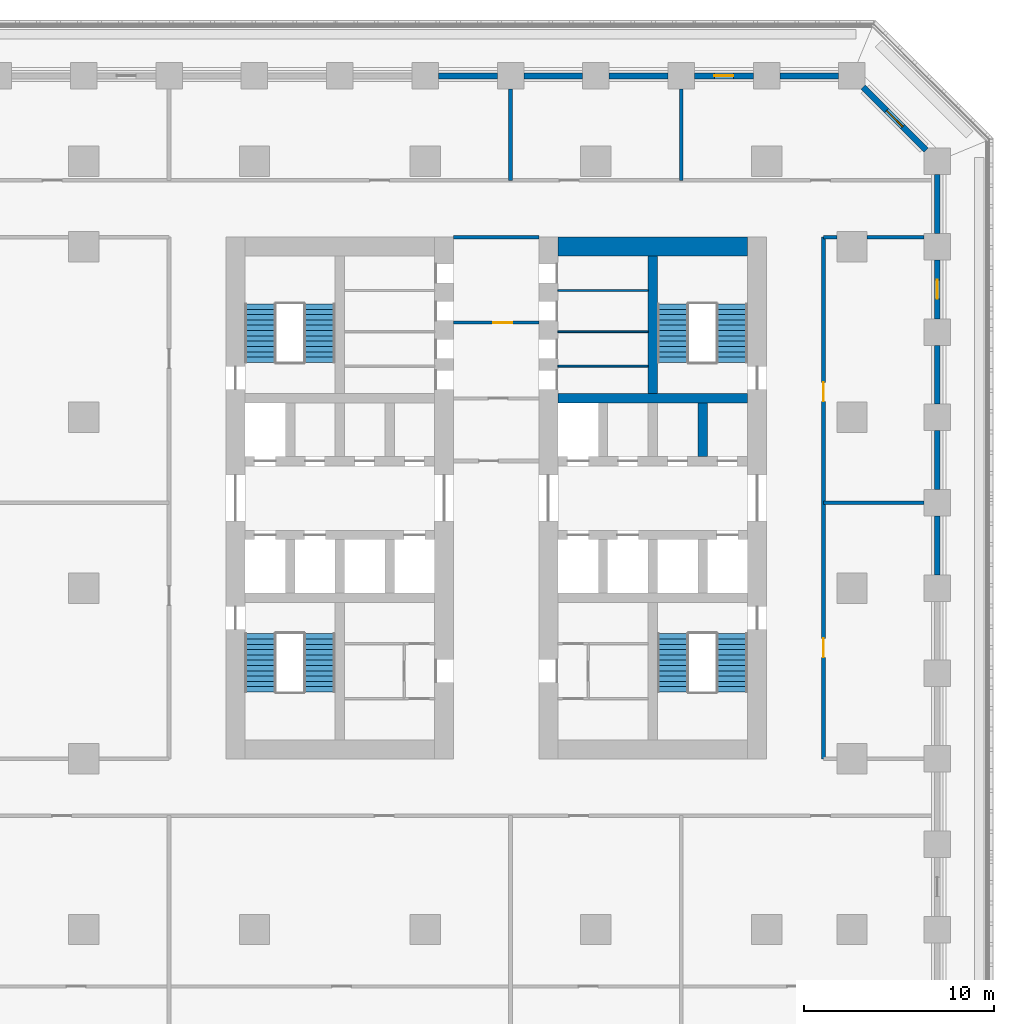
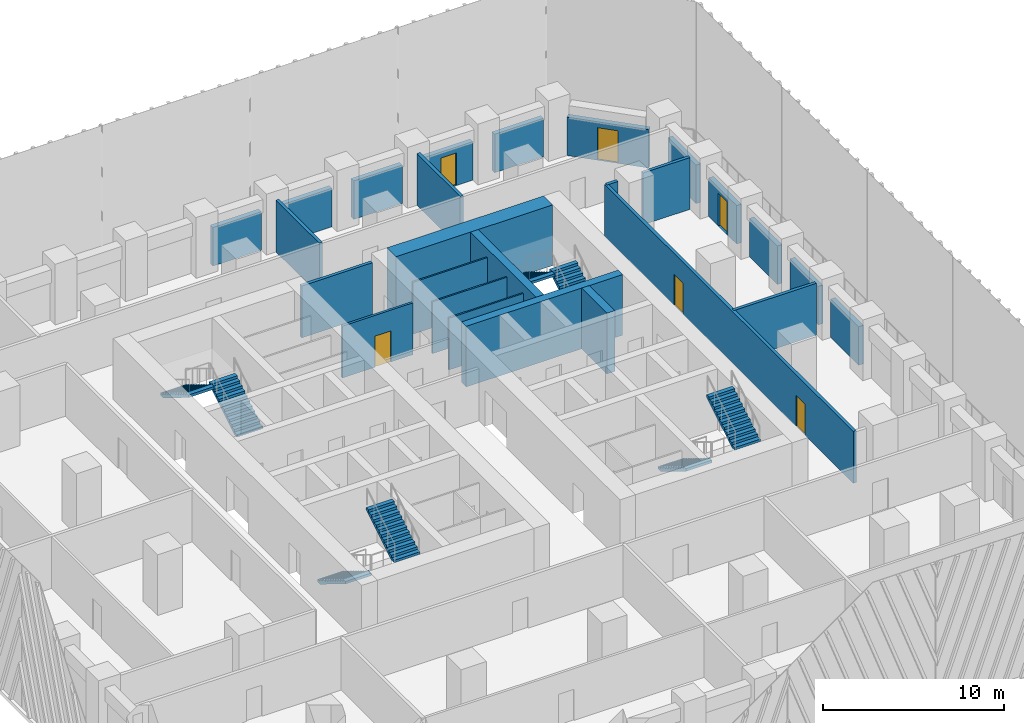
# One storey, part 6 of 12: 26 walls, 8 stair flights, 6 doors, 6 openings, 4 elements without a shape of their own.
"""IFC4 building model written with IfcOpenShell, lengths in metres."""

from ifc_helpers import new_model, si_unit, direction, frame, frame_2d, origin, place, context, subcontext, project, spatial, polyline, rectangle, outline, extrude, material, layer, layer_set, type_object, element, fill, aggregate, save


model = new_model("IFC4")

# Units and contexts
model_context = context("Model", 3, precision=1e-05, world=origin(), true_north=direction((0.0, 1.0)))
body_context = subcontext(model_context, "Body", "Model", "MODEL_VIEW")
ifc_project = project(units=[si_unit("LENGTHUNIT", "METRE"), si_unit("AREAUNIT", "SQUARE_METRE"), si_unit("VOLUMEUNIT", "CUBIC_METRE"), si_unit("PLANEANGLEUNIT", "RADIAN"), si_unit("MASSUNIT", "GRAM", prefix="KILO")], contexts=[model_context])

# Site, building, storey
site_placement = place(None, origin())
site = spatial("IfcSite", under=ifc_project, at=site_placement, CompositionType="ELEMENT")
building_placement = place(site_placement, origin())
building = spatial("IfcBuilding", under=site, at=building_placement, Name="Corbel Stack Research Tower", CompositionType="ELEMENT")
storey_placement = place(building_placement, frame((0.0, 0.0, 31.800048828125)))
storey = spatial("IfcBuildingStorey", under=building, at=storey_placement, Name="L07", CompositionType="ELEMENT", Elevation=31.800048828125)

# Walls
ifc_material_1 = material(Name="Concrete C70/85", Category="concrete")
ifc_layer_1 = layer(ifc_material_1, 1.0)
ifc_layer_set_1 = layer_set([ifc_layer_1], Name="Concrete C70/85")
wall_type_1 = type_object("IfcWallType", Name="CW-1000-70", PredefinedType="SHEAR", material=ifc_layer_set_1)
wall_1_placement = place(storey_placement, frame((7.0, 18.0, 0.0), z_axis=(0.0, 0.0, 1.0), x_axis=(1.0, 0.0, 0.0)))
element("IfcWall", 1, at=wall_1_placement, inside=storey, type_object=wall_type_1, Name="East core wall, north end L07", PredefinedType="SHEAR", context=body_context, shape_type="SweptSolid", body=[
    extrude(rectangle(XDim=10.0, YDim=1.0, at=frame_2d((5.0, 0.0))), origin(), (0.0, 0.0, 1.0), 4.099853515625),
])
ifc_material_2 = material(Name="Concrete C70/85", Category="concrete")
ifc_layer_2 = layer(ifc_material_2, 0.5)
ifc_layer_set_2 = layer_set([ifc_layer_2], Name="Concrete C70/85")
wall_type_2 = type_object("IfcWallType", Name="CW-500-70", PredefinedType="SHEAR", material=ifc_layer_set_2)
wall_2_placement = place(storey_placement, frame((7.0, 10.0, 0.0), z_axis=(0.0, 0.0, 1.0), x_axis=(1.0, 0.0, 0.0)))
element("IfcWall", 2, at=wall_2_placement, inside=storey, type_object=wall_type_2, Name="East core wall, north row back L07", PredefinedType="SHEAR", context=body_context, shape_type="SweptSolid", body=[
    extrude(rectangle(XDim=10.0, YDim=0.5, at=frame_2d((5.0, 0.0))), origin(), (0.0, 0.0, 1.0), 4.099853515625),
])
wall_3_placement = place(storey_placement, frame((14.625, 6.949951171875, 0.0), z_axis=(0.0, 0.0, 1.0), x_axis=(0.0, 1.0, 0.0)))
element("IfcWall", 3, at=wall_3_placement, inside=storey, type_object=wall_type_2, Name="East core wall, north shaft 3 L07", PredefinedType="SHEAR", context=body_context, shape_type="SweptSolid", body=[
    extrude(rectangle(XDim=2.800048828125, YDim=0.5, at=frame_2d((1.39990234375, 0.0))), origin(), (0.0, 0.0, 1.0), 4.099853515625),
])
wall_4_placement = place(storey_placement, frame((12.0, 10.25, 0.0), z_axis=(0.0, 0.0, 1.0), x_axis=(0.0, 1.0, 0.0)))
element("IfcWall", 4, at=wall_4_placement, inside=storey, type_object=wall_type_2, Name="East core wall, north stair and riser L07", PredefinedType="SHEAR", context=body_context, shape_type="SweptSolid", body=[
    extrude(rectangle(XDim=7.25, YDim=0.5, at=frame_2d((3.625, 0.0))), origin(), (0.0, 0.0, 1.0), 4.099853515625),
])
ifc_material_3 = material(Name="Gypsum board")
ifc_layer_3 = layer(ifc_material_3, 0.10009765625)
ifc_layer_set_3 = layer_set([ifc_layer_3], Name="Gypsum board")
wall_type_3 = type_object("IfcWallType", Name="Core partition 100", PredefinedType="PARTITIONING", material=ifc_layer_set_3)
for number, where, z_axis, x_axis, name in (
    (5, (7.0, 11.699951171875, 0.0), (0.0, 0.0, 1.0), (1.0, 0.0, 0.0), "Core partition E"),
    (6, (7.0, 13.512451171875, 0.0), (0.0, 0.0, 1.0), (1.0, 0.0, 0.0), "Core partition E"),
    (7, (7.0, 15.6875, 0.0), (0.0, 0.0, 1.0), (1.0, 0.0, 0.0), "Core partition E"),
):
    element("IfcWall", number, at=place(storey_placement, frame(where, z_axis=z_axis, x_axis=x_axis)), inside=storey, type_object=wall_type_3, Name=name, PredefinedType="PARTITIONING", context=body_context, shape_type="SweptSolid", body=[
        extrude(rectangle(XDim=4.75, YDim=0.10009765625, at=frame_2d((2.375, 0.0))), origin(), (0.0, 0.0, 1.0), 3.5),
    ])
ifc_material_4 = material(Name="Fire-rated gypsum board partition on steel studs", Category="steel")
ifc_layer_4 = layer(ifc_material_4, 0.199951171875)
ifc_layer_set_4 = layer_set([ifc_layer_4], Name="Fire-rated gypsum board partition on steel studs")
wall_type_4 = type_object("IfcWallType", Name="Fire-rated partition 200 EI 60", PredefinedType="PARTITIONING", material=ifc_layer_set_4)
for number, where, z_axis, x_axis, name in (
    (8, (4.5, 21.5, 0.0), (0.0, 0.0, 1.0), (0.0, 1.0, 0.0), "Partition L07-006"),
    (9, (13.5, 21.5, 0.0), (0.0, 0.0, 1.0), (0.0, 1.0, 0.0), "Partition L07-008"),
):
    element("IfcWall", number, at=place(storey_placement, frame(where, z_axis=z_axis, x_axis=x_axis)), inside=storey, type_object=wall_type_4, Name=name, PredefinedType="PARTITIONING", context=body_context, shape_type="SweptSolid", body=[
        extrude(rectangle(XDim=4.800048828125, YDim=0.199951171875, at=frame_2d((2.39990234375, 0.0))), origin(), (0.0, 0.0, 1.0), 3.5),
    ])

# Wall, openings, doors
wall_5_placement = place(storey_placement, frame((21.0, 18.5, 0.0), z_axis=(0.0, 0.0, 1.0), x_axis=(0.0, -1.0, 0.0)))
wall_5 = element("IfcWall", 10, at=wall_5_placement, inside=storey, type_object=wall_type_4, Name="Partition L07-009", PredefinedType="PARTITIONING", context=body_context, shape_type="SweptSolid", body=[
    extrude(rectangle(XDim=27.5, YDim=0.199951171875, at=frame_2d((13.75, 0.0))), origin(), (0.0, 0.0, 1.0), 3.5),
])
opening_1_placement = place(wall_5_placement, frame((21.14990234375, 0.0, 0.0)))
opening_1 = element("IfcOpeningElement", 11, at=opening_1_placement, cuts=wall_5, Name="Opening B1V2-016", PredefinedType="OPENING", context=body_context, shape_type="SweptSolid", body=[
    extrude(rectangle(XDim=1.0, YDim=2.10009765625, at=frame_2d((0.5, 1.050048828125))), frame((0.0, 0.10986328125, 0.0), z_axis=(0.0, -1.0, 0.0), x_axis=(1.0, 0.0, 0.0)), (0.0, 0.0, 1.0), 0.219970703125),
])
opening_2_placement = place(wall_5_placement, frame((7.64990234375, 0.0, 0.0)))
opening_2 = element("IfcOpeningElement", 12, at=opening_2_placement, cuts=wall_5, Name="Opening B1V2-017", PredefinedType="OPENING", context=body_context, shape_type="SweptSolid", body=[
    extrude(rectangle(XDim=1.0, YDim=2.10009765625, at=frame_2d((0.5, 1.050048828125))), frame((0.0, 0.10986328125, 0.0), z_axis=(0.0, -1.0, 0.0), x_axis=(1.0, 0.0, 0.0)), (0.0, 0.0, 1.0), 0.219970703125),
])
ifc_material_5 = material(Name="Painted steel fire door", Category="steel")
door_type_1 = type_object("IfcDoorType", Name="Fire door FD30S 1000 x 2100", OperationType="NOTDEFINED", PredefinedType="DOOR", material=ifc_material_5)
door_1_placement = place(opening_1_placement, origin())
door_1 = element("IfcDoor", 13, at=door_1_placement, inside=storey, type_object=door_type_1, Name="Door B1V2-016", OperationType="SINGLE_SWING_RIGHT", OverallHeight=2.10009765625, OverallWidth=1.0, PredefinedType="DOOR", context=body_context, shape_type="SweptSolid", body=[
    extrude(rectangle(XDim=1.0, YDim=2.10009765625, at=frame_2d((0.5, 1.050048828125))), frame((0.0, 0.02490234375, 0.0), z_axis=(0.0, -1.0, 0.0), x_axis=(1.0, 0.0, 0.0)), (0.0, 0.0, 1.0), 0.050048828125),
])
fill(opening_1, door_1)
door_2_placement = place(opening_2_placement, origin())
door_2 = element("IfcDoor", 14, at=door_2_placement, inside=storey, type_object=door_type_1, Name="Door B1V2-017", OperationType="SINGLE_SWING_LEFT", OverallHeight=2.10009765625, OverallWidth=1.0, PredefinedType="DOOR", context=body_context, shape_type="SweptSolid", body=[
    extrude(rectangle(XDim=1.0, YDim=2.10009765625, at=frame_2d((0.5, 1.050048828125))), frame((0.0, 0.02490234375, 0.0), z_axis=(0.0, -1.0, 0.0), x_axis=(1.0, 0.0, 0.0)), (0.0, 0.0, 1.0), 0.050048828125),
])
fill(opening_2, door_2)

# Walls
wall_6_placement = place(storey_placement, frame((21.0, 4.5, 0.0), z_axis=(0.0, 0.0, 1.0), x_axis=(1.0, 0.0, 0.0)))
element("IfcWall", 15, at=wall_6_placement, inside=storey, type_object=wall_type_4, Name="Partition L07-017", PredefinedType="PARTITIONING", context=body_context, shape_type="SweptSolid", body=[
    extrude(rectangle(XDim=5.300048828125, YDim=0.199951171875, at=frame_2d((2.64990234375, 0.0))), origin(), (0.0, 0.0, 1.0), 3.5),
])
wall_7_placement = place(storey_placement, frame((1.5, 18.5, 0.0), z_axis=(0.0, 0.0, 1.0), x_axis=(1.0, 0.0, 0.0)))
element("IfcWall", 16, at=wall_7_placement, inside=storey, type_object=wall_type_4, Name="Partition L07-023", PredefinedType="PARTITIONING", context=body_context, shape_type="SweptSolid", body=[
    extrude(rectangle(XDim=4.5, YDim=0.199951171875, at=frame_2d((2.25, 0.0))), origin(), (0.0, 0.0, 1.0), 3.5),
])
wall_8_placement = place(storey_placement, frame((21.0, 18.5, 0.0), z_axis=(0.0, 0.0, 1.0), x_axis=(1.0, 0.0, 0.0)))
element("IfcWall", 17, at=wall_8_placement, inside=storey, type_object=wall_type_4, Name="Partition L07-024", PredefinedType="PARTITIONING", context=body_context, shape_type="SweptSolid", body=[
    extrude(rectangle(XDim=0.699951171875, YDim=0.199951171875, at=frame_2d((0.35009765625, 0.0))), origin(), (0.0, 0.0, 1.0), 3.5),
])
wall_9_placement = place(storey_placement, frame((23.300048828125, 18.5, 0.0), z_axis=(0.0, 0.0, 1.0), x_axis=(1.0, 0.0, 0.0)))
element("IfcWall", 18, at=wall_9_placement, inside=storey, type_object=wall_type_4, Name="Partition L07-025", PredefinedType="PARTITIONING", context=body_context, shape_type="SweptSolid", body=[
    extrude(rectangle(XDim=3.0, YDim=0.199951171875, at=frame_2d((1.5, 0.0))), origin(), (0.0, 0.0, 1.0), 3.5),
])

# Wall, opening, door
ifc_material_6 = material(Name="Gypsum board partition on steel studs", Category="steel")
ifc_layer_5 = layer(ifc_material_6, 0.14990234375)
ifc_layer_set_5 = layer_set([ifc_layer_5], Name="Gypsum board partition on steel studs")
wall_type_5 = type_object("IfcWallType", Name="Partition 150", PredefinedType="PARTITIONING", material=ifc_layer_set_5)
wall_10_placement = place(storey_placement, frame((1.5, 14.0, 0.0), z_axis=(0.0, 0.0, 1.0), x_axis=(1.0, 0.0, 0.0)))
wall_10 = element("IfcWall", 19, at=wall_10_placement, inside=storey, type_object=wall_type_5, Name="Partition L07-020", PredefinedType="PARTITIONING", context=body_context, shape_type="SweptSolid", body=[
    extrude(rectangle(XDim=4.5, YDim=0.14990234375, at=frame_2d((2.25, 0.0))), origin(), (0.0, 0.0, 1.0), 3.5),
])
opening_3_placement = place(wall_10_placement, frame((2.10009765625, 0.0, 0.0)))
opening_3 = element("IfcOpeningElement", 20, at=opening_3_placement, cuts=wall_10, Name="Opening B1V2-015", PredefinedType="OPENING", context=body_context, shape_type="SweptSolid", body=[
    extrude(rectangle(XDim=1.0, YDim=2.10009765625, at=frame_2d((0.5, 1.050048828125))), frame((0.0, 0.0849609375, 0.0), z_axis=(0.0, -1.0, 0.0), x_axis=(1.0, 0.0, 0.0)), (0.0, 0.0, 1.0), 0.169921875),
])
ifc_material_7 = material(Name="Painted timber door", Category="wood")
door_type_2 = type_object("IfcDoorType", Name="Single door 1000 x 2100", OperationType="NOTDEFINED", PredefinedType="DOOR", material=ifc_material_7)
door_3_placement = place(opening_3_placement, origin())
door_3 = element("IfcDoor", 21, at=door_3_placement, inside=storey, type_object=door_type_2, Name="Door B1V2-015", OperationType="SINGLE_SWING_RIGHT", OverallHeight=2.10009765625, OverallWidth=1.0, PredefinedType="DOOR", context=body_context, shape_type="SweptSolid", body=[
    extrude(rectangle(XDim=1.0, YDim=2.10009765625, at=frame_2d((0.5, 1.050048828125))), frame((0.0, 0.02490234375, 0.0), z_axis=(0.0, -1.0, 0.0), x_axis=(1.0, 0.0, 0.0)), (0.0, 0.0, 1.0), 0.050048828125),
])
fill(opening_3, door_3)

# Walls
ifc_material_8 = material(Name="Concrete C45/55", Category="concrete")
ifc_layer_6 = layer(ifc_material_8, 0.300048828125)
ifc_layer_set_6 = layer_set([ifc_layer_6], Name="Concrete C45/55")
wall_type_6 = type_object("IfcWallType", Name="Terracotta-faced concrete wall 300", PredefinedType="SOLIDWALL", material=ifc_layer_set_6)
for number, where, z_axis, x_axis, name in (
    (22, (27.0, 3.800048828125, 0.0), (0.0, 0.0, 1.0), (0.0, -1.0, 0.0), "Facade wall L07 E06"),
    (23, (27.0, 8.300048828125, 0.0), (0.0, 0.0, 1.0), (0.0, -1.0, 0.0), "Facade wall L07 E07"),
    (24, (27.0, 12.800048828125, 0.0), (0.0, 0.0, 1.0), (0.0, -1.0, 0.0), "Facade wall L07 E08"),
):
    element("IfcWall", number, at=place(storey_placement, frame(where, z_axis=z_axis, x_axis=x_axis)), inside=storey, type_object=wall_type_6, Name=name, PredefinedType="SOLIDWALL", context=body_context, shape_type="SweptSolid", body=[
        extrude(rectangle(XDim=3.10009765625, YDim=0.300048828125, at=frame_2d((1.550048828125, 0.0))), origin(), (0.0, 0.0, 1.0), 2.599853515625),
    ])

# Wall, opening, door
wall_11_placement = place(storey_placement, frame((27.0, 17.300048828125, 0.0), z_axis=(0.0, 0.0, 1.0), x_axis=(0.0, -1.0, 0.0)))
wall_11 = element("IfcWall", 25, at=wall_11_placement, inside=storey, type_object=wall_type_6, Name="Facade wall L07 E09", PredefinedType="SOLIDWALL", context=body_context, shape_type="SweptSolid", body=[
    extrude(rectangle(XDim=3.10009765625, YDim=0.300048828125, at=frame_2d((1.550048828125, 0.0))), origin(), (0.0, 0.0, 1.0), 2.599853515625),
])
opening_4_placement = place(wall_11_placement, frame((1.050048828125, 0.0, 0.0)))
opening_4 = element("IfcOpeningElement", 26, at=opening_4_placement, cuts=wall_11, Name="Opening L07-B05", PredefinedType="OPENING", context=body_context, shape_type="SweptSolid", body=[
    extrude(rectangle(XDim=1.0, YDim=2.199951171875, at=frame_2d((0.5, 1.10009765625))), frame((0.0, 0.159912109375, 0.0), z_axis=(0.0, -1.0, 0.0), x_axis=(1.0, 0.0, 0.0)), (0.0, 0.0, 1.0), 0.320068359375),
])
ifc_material_9 = material(Name="Aluminium frame, clear double glazing", Category="aluminium")
door_type_3 = type_object("IfcDoorType", Name="Balcony door BD1 1000 x 2200", OperationType="NOTDEFINED", PredefinedType="DOOR", material=ifc_material_9)
door_4_placement = place(opening_4_placement, origin())
door_4 = element("IfcDoor", 27, at=door_4_placement, inside=storey, type_object=door_type_3, Name="Balcony door L07-B05", OperationType="SINGLE_SWING_RIGHT", OverallHeight=2.199951171875, OverallWidth=1.0, PredefinedType="DOOR", context=body_context, shape_type="SweptSolid", body=[
    extrude(rectangle(XDim=1.0, YDim=2.199951171875, at=frame_2d((0.5, 1.10009765625))), frame((0.0, 0.02490234375, 0.0), z_axis=(0.0, -1.0, 0.0), x_axis=(1.0, 0.0, 0.0)), (0.0, 0.0, 1.0), 0.050048828125),
])
fill(opening_4, door_4)

# Wall
wall_12_placement = place(storey_placement, frame((27.0, 21.800048828125, 0.0), z_axis=(0.0, 0.0, 1.0), x_axis=(0.0, -1.0, 0.0)))
element("IfcWall", 28, at=wall_12_placement, inside=storey, type_object=wall_type_6, Name="Facade wall L07 E10", PredefinedType="SOLIDWALL", context=body_context, shape_type="SweptSolid", body=[
    extrude(rectangle(XDim=3.10009765625, YDim=0.300048828125, at=frame_2d((1.550048828125, 0.0))), origin(), (0.0, 0.0, 1.0), 2.599853515625),
])

# Wall, opening, door
wall_13_placement = place(storey_placement, frame((23.093994140625, 26.406005859375, 0.0), z_axis=(0.0, 0.0, 1.0), x_axis=(0.707106781187, -0.707106781187, 0.0)))
wall_13 = element("IfcWall", 29, at=wall_13_placement, inside=storey, type_object=wall_type_6, Name="Facade wall L07 NE01", PredefinedType="SOLIDWALL", context=body_context, shape_type="SweptSolid", body=[
    extrude(rectangle(XDim=4.683837890625, YDim=0.300048828125, at=frame_2d((2.341796875, 0.0))), origin(), (0.0, 0.0, 1.0), 2.599853515625),
])
opening_5_placement = place(wall_13_placement, frame((1.741943359375, 0.0, 0.0)))
opening_5 = element("IfcOpeningElement", 30, at=opening_5_placement, cuts=wall_13, Name="Opening L07-B06", PredefinedType="OPENING", context=body_context, shape_type="SweptSolid", body=[
    extrude(rectangle(XDim=1.199951171875, YDim=2.199951171875, at=frame_2d((0.60009765625, 1.10009765625))), frame((0.0, 0.159912109375, 0.0), z_axis=(0.0, -1.0, 0.0), x_axis=(1.0, 0.0, 0.0)), (0.0, 0.0, 1.0), 0.320068359375),
])
ifc_material_10 = material(Name="Aluminium frame, clear double glazing", Category="aluminium")
door_type_4 = type_object("IfcDoorType", Name="Balcony door BD2 1200 x 2200", OperationType="NOTDEFINED", PredefinedType="DOOR", material=ifc_material_10)
door_5_placement = place(opening_5_placement, origin())
door_5 = element("IfcDoor", 31, at=door_5_placement, inside=storey, type_object=door_type_4, Name="Balcony door L07-B06", OperationType="SINGLE_SWING_RIGHT", OverallHeight=2.199951171875, OverallWidth=1.199951171875, PredefinedType="DOOR", context=body_context, shape_type="SweptSolid", body=[
    extrude(rectangle(XDim=1.199951171875, YDim=2.199951171875, at=frame_2d((0.60009765625, 1.10009765625))), frame((0.0, 0.02490234375, 0.0), z_axis=(0.0, -1.0, 0.0), x_axis=(1.0, 0.0, 0.0)), (0.0, 0.0, 1.0), 0.050048828125),
])
fill(opening_5, door_5)

# Wall
wall_14_placement = place(storey_placement, frame((18.699951171875, 27.0, 0.0), z_axis=(0.0, 0.0, 1.0), x_axis=(1.0, 0.0, 0.0)))
element("IfcWall", 32, at=wall_14_placement, inside=storey, type_object=wall_type_6, Name="Facade wall L07 N01", PredefinedType="SOLIDWALL", context=body_context, shape_type="SweptSolid", body=[
    extrude(rectangle(XDim=3.10009765625, YDim=0.300048828125, at=frame_2d((1.550048828125, 0.0))), origin(), (0.0, 0.0, 1.0), 2.599853515625),
])

# Wall, opening, door
wall_15_placement = place(storey_placement, frame((14.199951171875, 27.0, 0.0), z_axis=(0.0, 0.0, 1.0), x_axis=(1.0, 0.0, 0.0)))
wall_15 = element("IfcWall", 33, at=wall_15_placement, inside=storey, type_object=wall_type_6, Name="Facade wall L07 N02", PredefinedType="SOLIDWALL", context=body_context, shape_type="SweptSolid", body=[
    extrude(rectangle(XDim=3.10009765625, YDim=0.300048828125, at=frame_2d((1.550048828125, 0.0))), origin(), (0.0, 0.0, 1.0), 2.599853515625),
])
opening_6_placement = place(wall_15_placement, frame((1.050048828125, 0.0, 0.0)))
opening_6 = element("IfcOpeningElement", 34, at=opening_6_placement, cuts=wall_15, Name="Opening L07-B07", PredefinedType="OPENING", context=body_context, shape_type="SweptSolid", body=[
    extrude(rectangle(XDim=1.0, YDim=2.199951171875, at=frame_2d((0.5, 1.10009765625))), frame((0.0, 0.159912109375, 0.0), z_axis=(0.0, -1.0, 0.0), x_axis=(1.0, 0.0, 0.0)), (0.0, 0.0, 1.0), 0.320068359375),
])
door_6_placement = place(opening_6_placement, origin())
door_6 = element("IfcDoor", 35, at=door_6_placement, inside=storey, type_object=door_type_3, Name="Balcony door L07-B07", OperationType="SINGLE_SWING_LEFT", OverallHeight=2.199951171875, OverallWidth=1.0, PredefinedType="DOOR", context=body_context, shape_type="SweptSolid", body=[
    extrude(rectangle(XDim=1.0, YDim=2.199951171875, at=frame_2d((0.5, 1.10009765625))), frame((0.0, 0.02490234375, 0.0), z_axis=(0.0, -1.0, 0.0), x_axis=(1.0, 0.0, 0.0)), (0.0, 0.0, 1.0), 0.050048828125),
])
fill(opening_6, door_6)

# Walls
for number, where, z_axis, x_axis, name in (
    (36, (9.699951171875, 27.0, 0.0), (0.0, 0.0, 1.0), (1.0, 0.0, 0.0), "Facade wall L07 N03"),
    (37, (5.199951171875, 27.0, 0.0), (0.0, 0.0, 1.0), (1.0, 0.0, 0.0), "Facade wall L07 N04"),
    (38, (0.699951171875, 27.0, 0.0), (0.0, 0.0, 1.0), (1.0, 0.0, 0.0), "Facade wall L07 N05"),
):
    element("IfcWall", number, at=place(storey_placement, frame(where, z_axis=z_axis, x_axis=x_axis)), inside=storey, type_object=wall_type_6, Name=name, PredefinedType="SOLIDWALL", context=body_context, shape_type="SweptSolid", body=[
        extrude(rectangle(XDim=3.10009765625, YDim=0.300048828125, at=frame_2d((1.550048828125, 0.0))), origin(), (0.0, 0.0, 1.0), 2.599853515625),
    ])

# Stair, stair flights
ifc_material_11 = material(Name="Concrete C40/50", Category="concrete")
stair_type = type_object("IfcStairType", Name="Exit stair 24 risers", PredefinedType="HALF_TURN_STAIR", material=ifc_material_11)
stair_1_placement = place(storey_placement, origin())
stair_1 = element("IfcStair", 39, at=stair_1_placement, inside=storey, type_object=stair_type, Name="L07 Exit stair ST-W1", PredefinedType="HALF_TURN_STAIR")
ifc_material_12 = material(Name="Concrete C40/50", Category="concrete")
stair_flight_type = type_object("IfcStairFlightType", Name="Stair flight 12 risers", PredefinedType="STRAIGHT", material=ifc_material_12)
stair_flight_1_placement = place(storey_placement, frame((-8.675048828125, -2.39990234375, 0.0), z_axis=(0.0, 0.0, 1.0), x_axis=(0.0, -1.0, 0.0)))
stair_flight_1 = element("IfcStairFlight", 40, at=stair_flight_1_placement, type_object=stair_flight_type, Name="ST-W1 flight 1", NumberOfRisers=12, NumberOfTreads=11, PredefinedType="STRAIGHT", RiserHeight=0.170833333, TreadLength=0.28, context=body_context, shape_type="SweptSolid", body=[
    extrude(outline(polyline([(0.0, 0.0), (0.0, 0.1708984375), (0.280029296875, 0.1708984375), (0.280029296875, 0.341552734375), (0.56005859375, 0.341552734375), (0.56005859375, 0.512451171875), (0.840087890625, 0.512451171875), (0.840087890625, 0.683349609375), (1.1201171875, 0.683349609375), (1.1201171875, 0.854248046875), (1.39990234375, 0.854248046875), (1.39990234375, 1.02490234375), (1.679931640625, 1.02490234375), (1.679931640625, 1.19580078125), (1.9599609375, 1.19580078125), (1.9599609375, 1.36669921875), (2.239990234375, 1.36669921875), (2.239990234375, 1.53759765625), (2.52001953125, 1.53759765625), (2.52001953125, 1.708251953125), (2.800048828125, 1.708251953125), (2.800048828125, 1.879150390625), (3.080078125, 1.879150390625), (3.080078125, 2.050048828125), (3.080078125, 1.70361328125), (0.287841796875, 0.0), (0.0, 0.0)])), frame((0.0, 0.824951171875, 0.0), z_axis=(0.0, -1.0, 0.0), x_axis=(1.0, 0.0, 0.0)), (0.0, 0.0, 1.0), 1.64990234375),
])
stair_flight_2_placement = place(storey_placement, frame((-5.574951171875, -5.47998046875, 2.050048828125), z_axis=(0.0, 0.0, 1.0), x_axis=(0.0, 1.0, 0.0)))
stair_flight_2 = element("IfcStairFlight", 41, at=stair_flight_2_placement, type_object=stair_flight_type, Name="ST-W1 flight 2", NumberOfRisers=12, NumberOfTreads=11, PredefinedType="STRAIGHT", RiserHeight=0.170833333, TreadLength=0.28, context=body_context, shape_type="SweptSolid", body=[
    extrude(outline(polyline([(0.0, 0.0), (0.0, 0.1708984375), (0.280029296875, 0.1708984375), (0.280029296875, 0.341552734375), (0.56005859375, 0.341552734375), (0.56005859375, 0.512451171875), (0.840087890625, 0.512451171875), (0.840087890625, 0.683349609375), (1.1201171875, 0.683349609375), (1.1201171875, 0.854248046875), (1.39990234375, 0.854248046875), (1.39990234375, 1.02490234375), (1.679931640625, 1.02490234375), (1.679931640625, 1.19580078125), (1.9599609375, 1.19580078125), (1.9599609375, 1.36669921875), (2.239990234375, 1.36669921875), (2.239990234375, 1.53759765625), (2.52001953125, 1.53759765625), (2.52001953125, 1.708251953125), (2.800048828125, 1.708251953125), (2.800048828125, 1.879150390625), (3.080078125, 1.879150390625), (3.080078125, 2.050048828125), (3.080078125, 1.70361328125), (0.287841796875, 0.0), (0.0, 0.0)])), frame((0.0, 0.824951171875, 0.0), z_axis=(0.0, -1.0, 0.0), x_axis=(1.0, 0.0, 0.0)), (0.0, 0.0, 1.0), 1.64990234375),
])
aggregate(stair_1, [stair_flight_1, stair_flight_2])

stair_2_placement = place(storey_placement, origin())
stair_2 = element("IfcStair", 42, at=stair_2_placement, inside=storey, type_object=stair_type, Name="L07 Exit stair ST-W2", PredefinedType="HALF_TURN_STAIR")
stair_flight_3_placement = place(storey_placement, frame((-5.574951171875, 11.89990234375, 0.0), z_axis=(0.0, 0.0, 1.0), x_axis=(0.0, 1.0, 0.0)))
stair_flight_3 = element("IfcStairFlight", 43, at=stair_flight_3_placement, type_object=stair_flight_type, Name="ST-W2 flight 1", NumberOfRisers=12, NumberOfTreads=11, PredefinedType="STRAIGHT", RiserHeight=0.170833333, TreadLength=0.28, context=body_context, shape_type="SweptSolid", body=[
    extrude(outline(polyline([(0.0, 0.0), (0.0, 0.1708984375), (0.280029296875, 0.1708984375), (0.280029296875, 0.341552734375), (0.56005859375, 0.341552734375), (0.56005859375, 0.512451171875), (0.840087890625, 0.512451171875), (0.840087890625, 0.683349609375), (1.1201171875, 0.683349609375), (1.1201171875, 0.854248046875), (1.39990234375, 0.854248046875), (1.39990234375, 1.02490234375), (1.679931640625, 1.02490234375), (1.679931640625, 1.19580078125), (1.9599609375, 1.19580078125), (1.9599609375, 1.36669921875), (2.239990234375, 1.36669921875), (2.239990234375, 1.53759765625), (2.52001953125, 1.53759765625), (2.52001953125, 1.708251953125), (2.800048828125, 1.708251953125), (2.800048828125, 1.879150390625), (3.080078125, 1.879150390625), (3.080078125, 2.050048828125), (3.080078125, 1.70361328125), (0.287841796875, 0.0), (0.0, 0.0)])), frame((0.0, 0.824951171875, 0.0), z_axis=(0.0, -1.0, 0.0), x_axis=(1.0, 0.0, 0.0)), (0.0, 0.0, 1.0), 1.64990234375),
])
stair_flight_4_placement = place(storey_placement, frame((-8.675048828125, 14.97998046875, 2.050048828125), z_axis=(0.0, 0.0, 1.0), x_axis=(0.0, -1.0, 0.0)))
stair_flight_4 = element("IfcStairFlight", 44, at=stair_flight_4_placement, type_object=stair_flight_type, Name="ST-W2 flight 2", NumberOfRisers=12, NumberOfTreads=11, PredefinedType="STRAIGHT", RiserHeight=0.170833333, TreadLength=0.28, context=body_context, shape_type="SweptSolid", body=[
    extrude(outline(polyline([(0.0, 0.0), (0.0, 0.1708984375), (0.280029296875, 0.1708984375), (0.280029296875, 0.341552734375), (0.56005859375, 0.341552734375), (0.56005859375, 0.512451171875), (0.840087890625, 0.512451171875), (0.840087890625, 0.683349609375), (1.1201171875, 0.683349609375), (1.1201171875, 0.854248046875), (1.39990234375, 0.854248046875), (1.39990234375, 1.02490234375), (1.679931640625, 1.02490234375), (1.679931640625, 1.19580078125), (1.9599609375, 1.19580078125), (1.9599609375, 1.36669921875), (2.239990234375, 1.36669921875), (2.239990234375, 1.53759765625), (2.52001953125, 1.53759765625), (2.52001953125, 1.708251953125), (2.800048828125, 1.708251953125), (2.800048828125, 1.879150390625), (3.080078125, 1.879150390625), (3.080078125, 2.050048828125), (3.080078125, 1.70361328125), (0.287841796875, 0.0), (0.0, 0.0)])), frame((0.0, 0.824951171875, 0.0), z_axis=(0.0, -1.0, 0.0), x_axis=(1.0, 0.0, 0.0)), (0.0, 0.0, 1.0), 1.64990234375),
])
aggregate(stair_2, [stair_flight_3, stair_flight_4])

stair_3_placement = place(storey_placement, origin())
stair_3 = element("IfcStair", 45, at=stair_3_placement, inside=storey, type_object=stair_type, Name="L07 Exit stair ST-E1", PredefinedType="HALF_TURN_STAIR")
stair_flight_5_placement = place(storey_placement, frame((13.074951171875, -2.39990234375, 0.0), z_axis=(0.0, 0.0, 1.0), x_axis=(0.0, -1.0, 0.0)))
stair_flight_5 = element("IfcStairFlight", 46, at=stair_flight_5_placement, type_object=stair_flight_type, Name="ST-E1 flight 1", NumberOfRisers=12, NumberOfTreads=11, PredefinedType="STRAIGHT", RiserHeight=0.170833333, TreadLength=0.28, context=body_context, shape_type="SweptSolid", body=[
    extrude(outline(polyline([(0.0, 0.0), (0.0, 0.1708984375), (0.280029296875, 0.1708984375), (0.280029296875, 0.341552734375), (0.56005859375, 0.341552734375), (0.56005859375, 0.512451171875), (0.840087890625, 0.512451171875), (0.840087890625, 0.683349609375), (1.1201171875, 0.683349609375), (1.1201171875, 0.854248046875), (1.39990234375, 0.854248046875), (1.39990234375, 1.02490234375), (1.679931640625, 1.02490234375), (1.679931640625, 1.19580078125), (1.9599609375, 1.19580078125), (1.9599609375, 1.36669921875), (2.239990234375, 1.36669921875), (2.239990234375, 1.53759765625), (2.52001953125, 1.53759765625), (2.52001953125, 1.708251953125), (2.800048828125, 1.708251953125), (2.800048828125, 1.879150390625), (3.080078125, 1.879150390625), (3.080078125, 2.050048828125), (3.080078125, 1.70361328125), (0.287841796875, 0.0), (0.0, 0.0)])), frame((0.0, 0.824951171875, 0.0), z_axis=(0.0, -1.0, 0.0), x_axis=(1.0, 0.0, 0.0)), (0.0, 0.0, 1.0), 1.64990234375),
])
stair_flight_6_placement = place(storey_placement, frame((16.175048828125, -5.47998046875, 2.050048828125), z_axis=(0.0, 0.0, 1.0), x_axis=(0.0, 1.0, 0.0)))
stair_flight_6 = element("IfcStairFlight", 47, at=stair_flight_6_placement, type_object=stair_flight_type, Name="ST-E1 flight 2", NumberOfRisers=12, NumberOfTreads=11, PredefinedType="STRAIGHT", RiserHeight=0.170833333, TreadLength=0.28, context=body_context, shape_type="SweptSolid", body=[
    extrude(outline(polyline([(0.0, 0.0), (0.0, 0.1708984375), (0.280029296875, 0.1708984375), (0.280029296875, 0.341552734375), (0.56005859375, 0.341552734375), (0.56005859375, 0.512451171875), (0.840087890625, 0.512451171875), (0.840087890625, 0.683349609375), (1.1201171875, 0.683349609375), (1.1201171875, 0.854248046875), (1.39990234375, 0.854248046875), (1.39990234375, 1.02490234375), (1.679931640625, 1.02490234375), (1.679931640625, 1.19580078125), (1.9599609375, 1.19580078125), (1.9599609375, 1.36669921875), (2.239990234375, 1.36669921875), (2.239990234375, 1.53759765625), (2.52001953125, 1.53759765625), (2.52001953125, 1.708251953125), (2.800048828125, 1.708251953125), (2.800048828125, 1.879150390625), (3.080078125, 1.879150390625), (3.080078125, 2.050048828125), (3.080078125, 1.70361328125), (0.287841796875, 0.0), (0.0, 0.0)])), frame((0.0, 0.824951171875, 0.0), z_axis=(0.0, -1.0, 0.0), x_axis=(1.0, 0.0, 0.0)), (0.0, 0.0, 1.0), 1.64990234375),
])
aggregate(stair_3, [stair_flight_5, stair_flight_6])

stair_4_placement = place(storey_placement, origin())
stair_4 = element("IfcStair", 48, at=stair_4_placement, inside=storey, type_object=stair_type, Name="L07 Exit stair ST-E2", PredefinedType="HALF_TURN_STAIR")
stair_flight_7_placement = place(storey_placement, frame((16.175048828125, 11.89990234375, 0.0), z_axis=(0.0, 0.0, 1.0), x_axis=(0.0, 1.0, 0.0)))
stair_flight_7 = element("IfcStairFlight", 49, at=stair_flight_7_placement, type_object=stair_flight_type, Name="ST-E2 flight 1", NumberOfRisers=12, NumberOfTreads=11, PredefinedType="STRAIGHT", RiserHeight=0.170833333, TreadLength=0.28, context=body_context, shape_type="SweptSolid", body=[
    extrude(outline(polyline([(0.0, 0.0), (0.0, 0.1708984375), (0.280029296875, 0.1708984375), (0.280029296875, 0.341552734375), (0.56005859375, 0.341552734375), (0.56005859375, 0.512451171875), (0.840087890625, 0.512451171875), (0.840087890625, 0.683349609375), (1.1201171875, 0.683349609375), (1.1201171875, 0.854248046875), (1.39990234375, 0.854248046875), (1.39990234375, 1.02490234375), (1.679931640625, 1.02490234375), (1.679931640625, 1.19580078125), (1.9599609375, 1.19580078125), (1.9599609375, 1.36669921875), (2.239990234375, 1.36669921875), (2.239990234375, 1.53759765625), (2.52001953125, 1.53759765625), (2.52001953125, 1.708251953125), (2.800048828125, 1.708251953125), (2.800048828125, 1.879150390625), (3.080078125, 1.879150390625), (3.080078125, 2.050048828125), (3.080078125, 1.70361328125), (0.287841796875, 0.0), (0.0, 0.0)])), frame((0.0, 0.824951171875, 0.0), z_axis=(0.0, -1.0, 0.0), x_axis=(1.0, 0.0, 0.0)), (0.0, 0.0, 1.0), 1.64990234375),
])
stair_flight_8_placement = place(storey_placement, frame((13.074951171875, 14.97998046875, 2.050048828125), z_axis=(0.0, 0.0, 1.0), x_axis=(0.0, -1.0, 0.0)))
stair_flight_8 = element("IfcStairFlight", 50, at=stair_flight_8_placement, type_object=stair_flight_type, Name="ST-E2 flight 2", NumberOfRisers=12, NumberOfTreads=11, PredefinedType="STRAIGHT", RiserHeight=0.170833333, TreadLength=0.28, context=body_context, shape_type="SweptSolid", body=[
    extrude(outline(polyline([(0.0, 0.0), (0.0, 0.1708984375), (0.280029296875, 0.1708984375), (0.280029296875, 0.341552734375), (0.56005859375, 0.341552734375), (0.56005859375, 0.512451171875), (0.840087890625, 0.512451171875), (0.840087890625, 0.683349609375), (1.1201171875, 0.683349609375), (1.1201171875, 0.854248046875), (1.39990234375, 0.854248046875), (1.39990234375, 1.02490234375), (1.679931640625, 1.02490234375), (1.679931640625, 1.19580078125), (1.9599609375, 1.19580078125), (1.9599609375, 1.36669921875), (2.239990234375, 1.36669921875), (2.239990234375, 1.53759765625), (2.52001953125, 1.53759765625), (2.52001953125, 1.708251953125), (2.800048828125, 1.708251953125), (2.800048828125, 1.879150390625), (3.080078125, 1.879150390625), (3.080078125, 2.050048828125), (3.080078125, 1.70361328125), (0.287841796875, 0.0), (0.0, 0.0)])), frame((0.0, 0.824951171875, 0.0), z_axis=(0.0, -1.0, 0.0), x_axis=(1.0, 0.0, 0.0)), (0.0, 0.0, 1.0), 1.64990234375),
])
aggregate(stair_4, [stair_flight_7, stair_flight_8])

save(model, "model.ifc")
